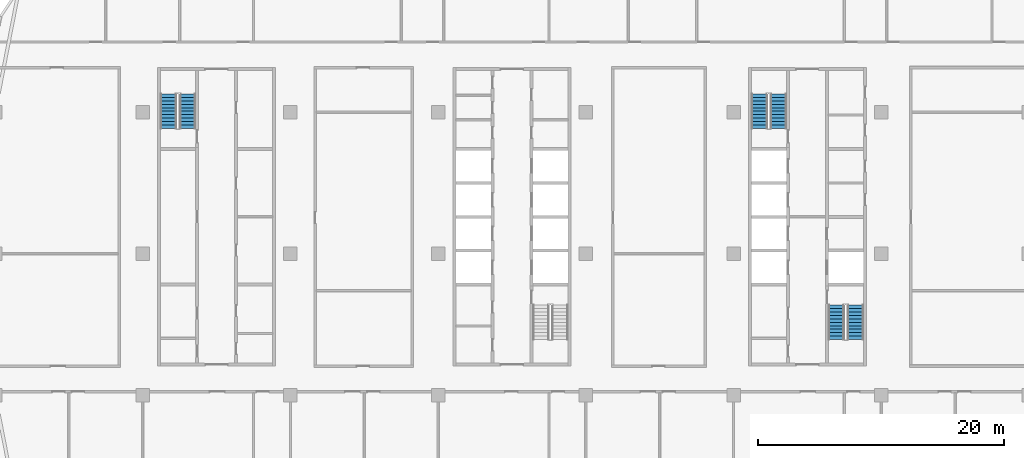
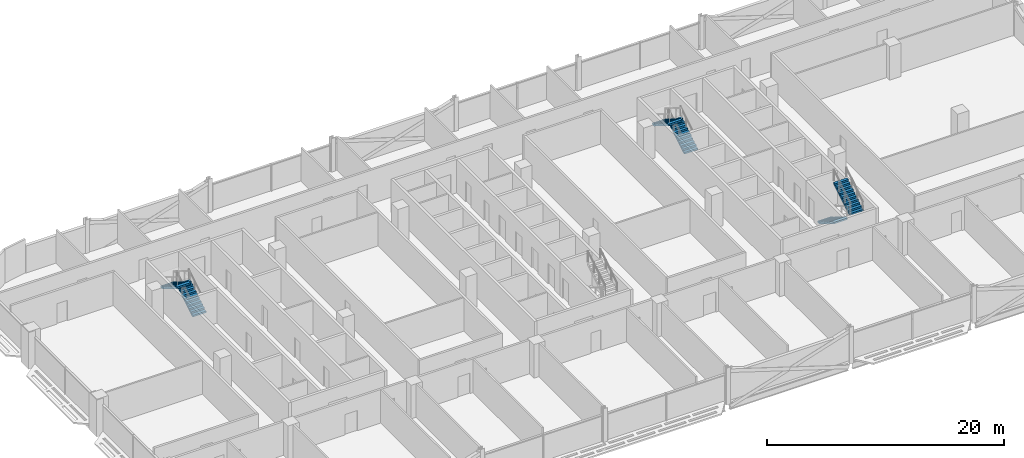
# One storey, part 19 of 30: 6 stair flights, 3 elements without a shape of their own.
"""IFC4 building model written with IfcOpenShell, lengths in metres."""

from ifc_helpers import new_model, si_unit, direction, frame, origin, place, context, subcontext, project, spatial, polyline, outline, extrude, material, type_object, element, aggregate, save


model = new_model("IFC4")

# Units and contexts
model_context = context("Model", 3, precision=1e-05, world=origin(), true_north=direction((0.0, 1.0)))
body_context = subcontext(model_context, "Body", "Model", "MODEL_VIEW")
ifc_project = project(units=[si_unit("LENGTHUNIT", "METRE"), si_unit("AREAUNIT", "SQUARE_METRE"), si_unit("VOLUMEUNIT", "CUBIC_METRE"), si_unit("PLANEANGLEUNIT", "RADIAN"), si_unit("MASSUNIT", "GRAM", prefix="KILO")], contexts=[model_context])

# Site, building, storey
site_placement = place(None, origin())
site = spatial("IfcSite", under=ifc_project, at=site_placement, CompositionType="ELEMENT")
building_placement = place(site_placement, origin())
building = spatial("IfcBuilding", under=site, at=building_placement, Name="Mahtab Terrace Research Tower", CompositionType="ELEMENT")
storey_placement = place(building_placement, frame((0.0, 0.0, 201.5)))
storey = spatial("IfcBuildingStorey", under=building, at=storey_placement, Name="L48", CompositionType="ELEMENT", Elevation=201.5)

# Stair, stair flights
ifc_material_1 = material(Name="Exit stair half-turn")
stair_type = type_object("IfcStairType", Name="Exit stair half-turn", PredefinedType="HALF_TURN_STAIR", material=ifc_material_1)
stair_1_placement = place(storey_placement, origin())
stair_1 = element("IfcStair", 1, at=stair_1_placement, inside=storey, type_object=stair_type, Name="L48 Protected exit stair ST1", PredefinedType="HALF_TURN_STAIR")
ifc_material_2 = material(Name="Concrete C40/50", Category="concrete")
stair_flight_type = type_object("IfcStairFlightType", Name="Exit stair flight 1300", PredefinedType="STRAIGHT", material=ifc_material_2)
stair_flight_1_placement = place(storey_placement, frame((-26.35009765625, 10.175048828125, 0.0), z_axis=(0.0, 0.0, 1.0), x_axis=(0.0, 1.0, 0.0)))
stair_flight_1 = element("IfcStairFlight", 2, at=stair_flight_1_placement, type_object=stair_flight_type, Name="ST1 flight 1", NumberOfRisers=11, NumberOfTreads=10, PredefinedType="STRAIGHT", RiserHeight=0.172727273, TreadLength=0.28, context=body_context, shape_type="SweptSolid", body=[
    extrude(outline(polyline([(0.0, 0.0), (0.0, 0.172607421875), (0.280029296875, 0.172607421875), (0.280029296875, 0.345458984375), (0.56005859375, 0.345458984375), (0.56005859375, 0.51806640625), (0.840087890625, 0.51806640625), (0.840087890625, 0.69091796875), (1.1201171875, 0.69091796875), (1.1201171875, 0.863525390625), (1.39990234375, 0.863525390625), (1.39990234375, 1.036376953125), (1.679931640625, 1.036376953125), (1.679931640625, 1.208984375), (1.9599609375, 1.208984375), (1.9599609375, 1.3818359375), (2.239990234375, 1.3818359375), (2.239990234375, 1.554443359375), (2.52001953125, 1.554443359375), (2.52001953125, 1.727294921875), (2.800048828125, 1.727294921875), (2.800048828125, 1.89990234375), (2.800048828125, 1.551025390625), (0.285400390625, 0.0), (0.0, 0.0)])), frame((0.0, 0.64990234375, 0.0), z_axis=(0.0, -1.0, 0.0), x_axis=(1.0, 0.0, 0.0)), (0.0, 0.0, 1.0), 1.300048828125),
])
stair_flight_2_placement = place(storey_placement, frame((-27.89990234375, 12.97509765625, 1.89990234375), z_axis=(0.0, 0.0, 1.0), x_axis=(0.0, -1.0, 0.0)))
stair_flight_2 = element("IfcStairFlight", 3, at=stair_flight_2_placement, type_object=stair_flight_type, Name="ST1 flight 2", NumberOfRisers=11, NumberOfTreads=10, PredefinedType="STRAIGHT", RiserHeight=0.172727273, TreadLength=0.28, context=body_context, shape_type="SweptSolid", body=[
    extrude(outline(polyline([(0.0, 0.0), (0.0, 0.172607421875), (0.280029296875, 0.172607421875), (0.280029296875, 0.345458984375), (0.56005859375, 0.345458984375), (0.56005859375, 0.51806640625), (0.840087890625, 0.51806640625), (0.840087890625, 0.69091796875), (1.1201171875, 0.69091796875), (1.1201171875, 0.863525390625), (1.39990234375, 0.863525390625), (1.39990234375, 1.036376953125), (1.679931640625, 1.036376953125), (1.679931640625, 1.208984375), (1.9599609375, 1.208984375), (1.9599609375, 1.3818359375), (2.239990234375, 1.3818359375), (2.239990234375, 1.554443359375), (2.52001953125, 1.554443359375), (2.52001953125, 1.727294921875), (2.800048828125, 1.727294921875), (2.800048828125, 1.89990234375), (2.800048828125, 1.551025390625), (0.285400390625, 0.0), (0.0, 0.0)])), frame((0.0, 0.64990234375, 0.0), z_axis=(0.0, -1.0, 0.0), x_axis=(1.0, 0.0, 0.0)), (0.0, 0.0, 1.0), 1.300048828125),
])
aggregate(stair_1, [stair_flight_1, stair_flight_2])

stair_2_placement = place(storey_placement, origin())
stair_2 = element("IfcStair", 4, at=stair_2_placement, inside=storey, type_object=stair_type, Name="L48 Protected exit stair ST3", PredefinedType="HALF_TURN_STAIR")
stair_flight_3_placement = place(storey_placement, frame((21.64990234375, 10.175048828125, 0.0), z_axis=(0.0, 0.0, 1.0), x_axis=(0.0, 1.0, 0.0)))
stair_flight_3 = element("IfcStairFlight", 5, at=stair_flight_3_placement, type_object=stair_flight_type, Name="ST3 flight 1", NumberOfRisers=11, NumberOfTreads=10, PredefinedType="STRAIGHT", RiserHeight=0.172727273, TreadLength=0.28, context=body_context, shape_type="SweptSolid", body=[
    extrude(outline(polyline([(0.0, 0.0), (0.0, 0.172607421875), (0.280029296875, 0.172607421875), (0.280029296875, 0.345458984375), (0.56005859375, 0.345458984375), (0.56005859375, 0.51806640625), (0.840087890625, 0.51806640625), (0.840087890625, 0.69091796875), (1.1201171875, 0.69091796875), (1.1201171875, 0.863525390625), (1.39990234375, 0.863525390625), (1.39990234375, 1.036376953125), (1.679931640625, 1.036376953125), (1.679931640625, 1.208984375), (1.9599609375, 1.208984375), (1.9599609375, 1.3818359375), (2.239990234375, 1.3818359375), (2.239990234375, 1.554443359375), (2.52001953125, 1.554443359375), (2.52001953125, 1.727294921875), (2.800048828125, 1.727294921875), (2.800048828125, 1.89990234375), (2.800048828125, 1.551025390625), (0.285400390625, 0.0), (0.0, 0.0)])), frame((0.0, 0.64990234375, 0.0), z_axis=(0.0, -1.0, 0.0), x_axis=(1.0, 0.0, 0.0)), (0.0, 0.0, 1.0), 1.300048828125),
])
stair_flight_4_placement = place(storey_placement, frame((20.10009765625, 12.97509765625, 1.89990234375), z_axis=(0.0, 0.0, 1.0), x_axis=(0.0, -1.0, 0.0)))
stair_flight_4 = element("IfcStairFlight", 6, at=stair_flight_4_placement, type_object=stair_flight_type, Name="ST3 flight 2", NumberOfRisers=11, NumberOfTreads=10, PredefinedType="STRAIGHT", RiserHeight=0.172727273, TreadLength=0.28, context=body_context, shape_type="SweptSolid", body=[
    extrude(outline(polyline([(0.0, 0.0), (0.0, 0.172607421875), (0.280029296875, 0.172607421875), (0.280029296875, 0.345458984375), (0.56005859375, 0.345458984375), (0.56005859375, 0.51806640625), (0.840087890625, 0.51806640625), (0.840087890625, 0.69091796875), (1.1201171875, 0.69091796875), (1.1201171875, 0.863525390625), (1.39990234375, 0.863525390625), (1.39990234375, 1.036376953125), (1.679931640625, 1.036376953125), (1.679931640625, 1.208984375), (1.9599609375, 1.208984375), (1.9599609375, 1.3818359375), (2.239990234375, 1.3818359375), (2.239990234375, 1.554443359375), (2.52001953125, 1.554443359375), (2.52001953125, 1.727294921875), (2.800048828125, 1.727294921875), (2.800048828125, 1.89990234375), (2.800048828125, 1.551025390625), (0.285400390625, 0.0), (0.0, 0.0)])), frame((0.0, 0.64990234375, 0.0), z_axis=(0.0, -1.0, 0.0), x_axis=(1.0, 0.0, 0.0)), (0.0, 0.0, 1.0), 1.300048828125),
])
aggregate(stair_2, [stair_flight_3, stair_flight_4])

stair_3_placement = place(storey_placement, origin())
stair_3 = element("IfcStair", 7, at=stair_3_placement, inside=storey, type_object=stair_type, Name="L48 Protected exit stair ST4", PredefinedType="HALF_TURN_STAIR")
stair_flight_5_placement = place(storey_placement, frame((26.35009765625, -4.175048828125, 0.0), z_axis=(0.0, 0.0, 1.0), x_axis=(0.0, -1.0, 0.0)))
stair_flight_5 = element("IfcStairFlight", 8, at=stair_flight_5_placement, type_object=stair_flight_type, Name="ST4 flight 1", NumberOfRisers=11, NumberOfTreads=10, PredefinedType="STRAIGHT", RiserHeight=0.172727273, TreadLength=0.28, context=body_context, shape_type="SweptSolid", body=[
    extrude(outline(polyline([(0.0, 0.0), (0.0, 0.172607421875), (0.280029296875, 0.172607421875), (0.280029296875, 0.345458984375), (0.56005859375, 0.345458984375), (0.56005859375, 0.51806640625), (0.840087890625, 0.51806640625), (0.840087890625, 0.69091796875), (1.1201171875, 0.69091796875), (1.1201171875, 0.863525390625), (1.39990234375, 0.863525390625), (1.39990234375, 1.036376953125), (1.679931640625, 1.036376953125), (1.679931640625, 1.208984375), (1.9599609375, 1.208984375), (1.9599609375, 1.3818359375), (2.239990234375, 1.3818359375), (2.239990234375, 1.554443359375), (2.52001953125, 1.554443359375), (2.52001953125, 1.727294921875), (2.800048828125, 1.727294921875), (2.800048828125, 1.89990234375), (2.800048828125, 1.551025390625), (0.285400390625, 0.0), (0.0, 0.0)])), frame((0.0, 0.64990234375, 0.0), z_axis=(0.0, -1.0, 0.0), x_axis=(1.0, 0.0, 0.0)), (0.0, 0.0, 1.0), 1.300048828125),
])
stair_flight_6_placement = place(storey_placement, frame((27.89990234375, -6.97509765625, 1.89990234375), z_axis=(0.0, 0.0, 1.0), x_axis=(0.0, 1.0, 0.0)))
stair_flight_6 = element("IfcStairFlight", 9, at=stair_flight_6_placement, type_object=stair_flight_type, Name="ST4 flight 2", NumberOfRisers=11, NumberOfTreads=10, PredefinedType="STRAIGHT", RiserHeight=0.172727273, TreadLength=0.28, context=body_context, shape_type="SweptSolid", body=[
    extrude(outline(polyline([(0.0, 0.0), (0.0, 0.172607421875), (0.280029296875, 0.172607421875), (0.280029296875, 0.345458984375), (0.56005859375, 0.345458984375), (0.56005859375, 0.51806640625), (0.840087890625, 0.51806640625), (0.840087890625, 0.69091796875), (1.1201171875, 0.69091796875), (1.1201171875, 0.863525390625), (1.39990234375, 0.863525390625), (1.39990234375, 1.036376953125), (1.679931640625, 1.036376953125), (1.679931640625, 1.208984375), (1.9599609375, 1.208984375), (1.9599609375, 1.3818359375), (2.239990234375, 1.3818359375), (2.239990234375, 1.554443359375), (2.52001953125, 1.554443359375), (2.52001953125, 1.727294921875), (2.800048828125, 1.727294921875), (2.800048828125, 1.89990234375), (2.800048828125, 1.551025390625), (0.285400390625, 0.0), (0.0, 0.0)])), frame((0.0, 0.64990234375, 0.0), z_axis=(0.0, -1.0, 0.0), x_axis=(1.0, 0.0, 0.0)), (0.0, 0.0, 1.0), 1.300048828125),
])
aggregate(stair_3, [stair_flight_5, stair_flight_6])

save(model, "model.ifc")
